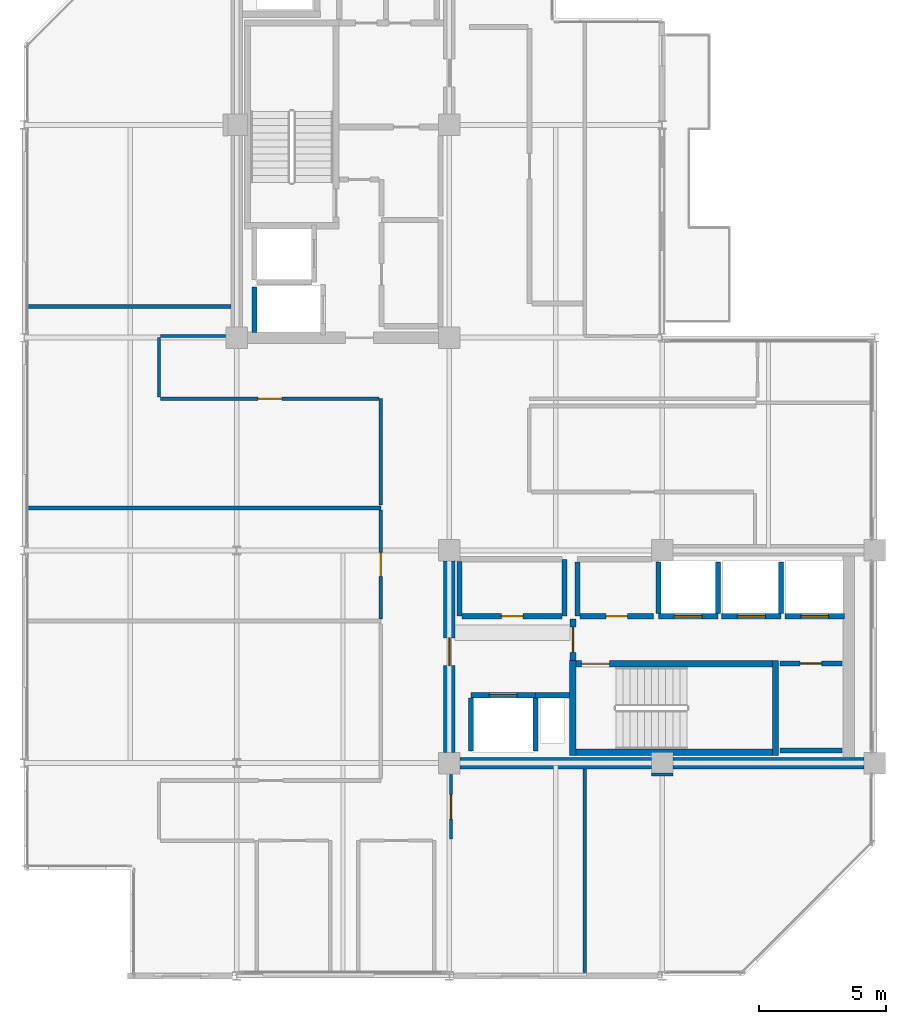
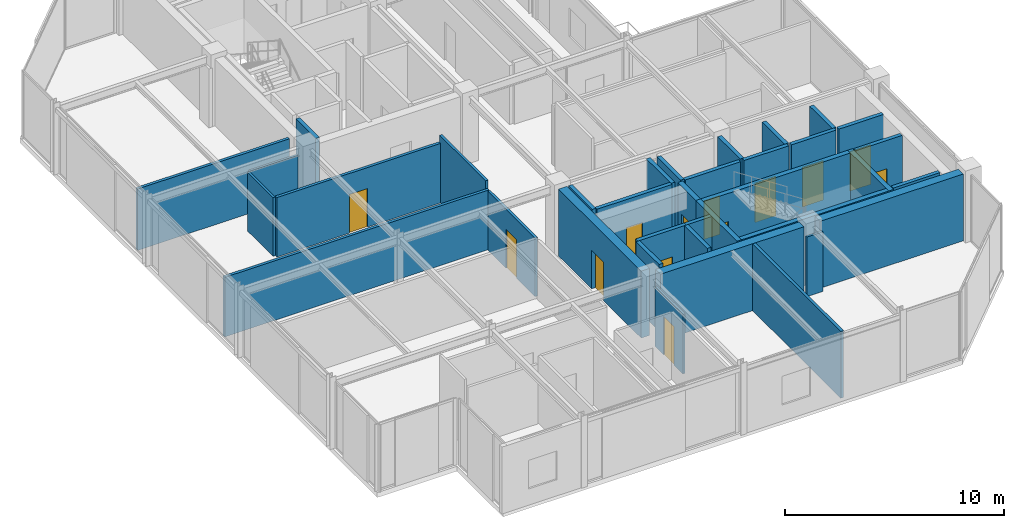
# One storey, part 20 of 24: 36 walls, 13 doors, 13 openings.
"""IFC4 building model written with IfcOpenShell, lengths in metres."""

from ifc_helpers import new_model, si_unit, direction, frame, frame_2d, origin, place, context, subcontext, project, spatial, rectangle, extrude, material, layer, layer_set, type_object, element, fill, save


model = new_model("IFC4")

# Units and contexts
model_context = context("Model", 3, precision=1e-05, world=origin(), true_north=direction((0.0, 1.0)))
body_context = subcontext(model_context, "Body", "Model", "MODEL_VIEW")
ifc_project = project(units=[si_unit("LENGTHUNIT", "METRE"), si_unit("AREAUNIT", "SQUARE_METRE"), si_unit("VOLUMEUNIT", "CUBIC_METRE"), si_unit("PLANEANGLEUNIT", "RADIAN"), si_unit("MASSUNIT", "GRAM", prefix="KILO")], contexts=[model_context])

# Site, building, storey
site_placement = place(None, origin())
site = spatial("IfcSite", under=ifc_project, at=site_placement, CompositionType="ELEMENT")
building_placement = place(site_placement, origin())
building = spatial("IfcBuilding", under=site, at=building_placement, Name="Nerrivon Quay Data Exchange", CompositionType="ELEMENT")
storey_placement = place(building_placement, frame((0.0, 0.0, 298.199951171875)))
storey = spatial("IfcBuildingStorey", under=building, at=storey_placement, Name="L71", CompositionType="ELEMENT", Elevation=298.199951171875)

# Walls
ifc_material_1 = material(Name="Concrete N50 (50 MPa)", Category="concrete")
ifc_layer_1 = layer(ifc_material_1, 0.449951171875)
ifc_layer_set_1 = layer_set([ifc_layer_1], Name="Concrete N50 (50 MPa)")
wall_type_1 = type_object("IfcWallType", Name="WALL-CW-550", PredefinedType="SHEAR", material=ifc_layer_set_1)
wall_1_placement = place(storey_placement, frame((17.22509765625, 8.39990234375, 0.0), z_axis=(0.0, 0.0, 1.0), x_axis=(1.0, 0.0, 0.0)))
element("IfcWall", 1, at=wall_1_placement, inside=storey, type_object=wall_type_1, Name="L71 East Split-Core Shear Wall ECW-S1", PredefinedType="SHEAR", context=body_context, shape_type="SweptSolid", body=[
    extrude(rectangle(XDim=7.5498046875, YDim=0.449951171875, at=frame_2d((3.77490234375, 0.0))), origin(), (0.0, 0.0, 1.0), 3.72509765625),
])
wall_2_placement = place(storey_placement, frame((25.625, 8.39990234375, 0.0), z_axis=(0.0, 0.0, 1.0), x_axis=(1.0, 0.0, 0.0)))
element("IfcWall", 2, at=wall_2_placement, inside=storey, type_object=wall_type_1, Name="L71 East Split-Core Shear Wall ECW-S2", PredefinedType="SHEAR", context=body_context, shape_type="SweptSolid", body=[
    extrude(rectangle(XDim=7.550048828125, YDim=0.449951171875, at=frame_2d((3.77490234375, 0.0))), origin(), (0.0, 0.0, 1.0), 3.72509765625),
])

# Wall, opening, door
wall_3_placement = place(storey_placement, frame((16.800048828125, 8.824951171875, 0.0), z_axis=(0.0, 0.0, 1.0), x_axis=(0.0, 1.0, 0.0)))
wall_3 = element("IfcWall", 3, at=wall_3_placement, inside=storey, type_object=wall_type_1, Name="L71 East Split-Core Shear Wall ECW-W1", PredefinedType="SHEAR", context=body_context, shape_type="SweptSolid", body=[
    extrude(rectangle(XDim=7.550048828125, YDim=0.449951171875, at=frame_2d((3.77490234375, 0.0))), origin(), (0.0, 0.0, 1.0), 3.72509765625),
])
opening_1_placement = place(wall_3_placement, frame((3.425048828125, 0.0, 0.0)))
opening_1 = element("IfcOpeningElement", 4, at=opening_1_placement, cuts=wall_3, Name="Opening FD-120", PredefinedType="OPENING", context=body_context, shape_type="SweptSolid", body=[
    extrude(rectangle(XDim=1.10009765625, YDim=2.14990234375, at=frame_2d((0.550048828125, 1.074951171875))), frame((0.0, 0.23486328125, 0.0), z_axis=(0.0, -1.0, 0.0), x_axis=(1.0, 0.0, 0.0)), (0.0, 0.0, 1.0), 0.469970703125),
])
ifc_material_2 = material(Name="Powder-coated galvanized steel sheet", Category="steel")
door_type_1 = type_object("IfcDoorType", Name="DR-FD120-1100", OperationType="NOTDEFINED", PredefinedType="DOOR", material=ifc_material_2)
door_1_placement = place(opening_1_placement, origin())
door_1 = element("IfcDoor", 5, at=door_1_placement, inside=storey, type_object=door_type_1, Name="L71 East Core Lobby Fire Door", OperationType="SINGLE_SWING_RIGHT", OverallHeight=2.14990234375, OverallWidth=1.10009765625, PredefinedType="DOOR", context=body_context, shape_type="SweptSolid", body=[
    extrude(rectangle(XDim=1.10009765625, YDim=2.14990234375, at=frame_2d((0.550048828125, 1.074951171875))), frame((0.0, 0.02490234375, 0.0), z_axis=(0.0, -1.0, 0.0), x_axis=(1.0, 0.0, 0.0)), (0.0, 0.0, 1.0), 0.050048828125),
])
fill(opening_1, door_1)

# Walls
ifc_material_3 = material(Name="Gypsum plasterboard on cold-formed framing", Category="gypsum")
ifc_layer_2 = layer(ifc_material_3, 0.199951171875)
ifc_layer_set_2 = layer_set([ifc_layer_2], Name="Gypsum plasterboard on cold-formed framing")
wall_type_2 = type_object("IfcWallType", Name="WALL-FW-200", PredefinedType="PARTITIONING", material=ifc_layer_set_2)
wall_4_placement = place(storey_placement, frame((20.199951171875, 11.080078125, 0.0), z_axis=(0.0, 0.0, 1.0), x_axis=(1.0, 0.0, 0.0)))
element("IfcWall", 6, at=wall_4_placement, inside=storey, type_object=wall_type_2, Name="L71 East Core MEP Riser Shaft Wall N", PredefinedType="PARTITIONING", context=body_context, shape_type="SweptSolid", body=[
    extrude(rectangle(XDim=1.35009765625, YDim=0.199951171875, at=frame_2d((0.675048828125, 0.0))), origin(), (0.0, 0.0, 1.0), 3.72509765625),
])
wall_5_placement = place(storey_placement, frame((9.10009765625, 25.39990234375, 0.0), z_axis=(0.0, 0.0, 1.0), x_axis=(0.0, 1.0, 0.0)))
element("IfcWall", 7, at=wall_5_placement, inside=storey, type_object=wall_type_2, Name="L71 Lift Shaft Wall SVL-1 WEST", PredefinedType="PARTITIONING", context=body_context, shape_type="SweptSolid", body=[
    extrude(rectangle(XDim=1.800048828125, YDim=0.199951171875, at=frame_2d((0.89990234375, 0.0))), origin(), (0.0, 0.0, 1.0), 3.72509765625),
])

# Wall, opening, door
wall_6_placement = place(storey_placement, frame((17.64990234375, 11.080078125, 0.0), z_axis=(0.0, 0.0, 1.0), x_axis=(1.0, 0.0, 0.0)))
wall_6 = element("IfcWall", 8, at=wall_6_placement, inside=storey, type_object=wall_type_2, Name="L71 Lift Front Wall FFL-2", PredefinedType="PARTITIONING", context=body_context, shape_type="SweptSolid", body=[
    extrude(rectangle(XDim=2.550048828125, YDim=0.199951171875, at=frame_2d((1.27490234375, 0.0))), origin(), (0.0, 0.0, 1.0), 3.72509765625),
])
opening_2_placement = place(wall_6_placement, frame((0.72509765625, 0.0, 0.0)))
opening_2 = element("IfcOpeningElement", 9, at=opening_2_placement, cuts=wall_6, Name="Opening LD-120", PredefinedType="OPENING", context=body_context, shape_type="SweptSolid", body=[
    extrude(rectangle(XDim=1.10009765625, YDim=2.199951171875, at=frame_2d((0.550048828125, 1.10009765625))), frame((0.0, 0.10986328125, 0.0), z_axis=(0.0, -1.0, 0.0), x_axis=(1.0, 0.0, 0.0)), (0.0, 0.0, 1.0), 0.219970703125),
])
door_type_2 = type_object("IfcDoorType", Name="DR-LIFT-LD120", OperationType="DOUBLE_DOOR_SLIDING", PredefinedType="DOOR", material=ifc_material_2)
door_2_placement = place(opening_2_placement, origin())
door_2 = element("IfcDoor", 10, at=door_2_placement, inside=storey, type_object=door_type_2, Name="L71 Lift Landing Sliding Door FFL-2", OperationType="DOUBLE_DOOR_SLIDING", OverallHeight=2.199951171875, OverallWidth=1.10009765625, PredefinedType="DOOR", context=body_context, shape_type="SweptSolid", body=[
    extrude(rectangle(XDim=1.10009765625, YDim=2.199951171875, at=frame_2d((0.550048828125, 1.10009765625))), frame((0.0, 0.02490234375, 0.0), z_axis=(0.0, -1.0, 0.0), x_axis=(1.0, 0.0, 0.0)), (0.0, 0.0, 1.0), 0.050048828125),
])
fill(opening_2, door_2)

# Walls
for number, where, z_axis, x_axis, name in (
    (11, (20.199951171875, 8.8798828125, 0.0), (0.0, 0.0, 1.0), (0.0, 1.0, 0.0), "L71 Lift Shaft Wall FFL-2 EAST"),
    (12, (17.64990234375, 8.8798828125, 0.0), (0.0, 0.0, 1.0), (0.0, 1.0, 0.0), "L71 Lift Shaft Wall FFL-2 WEST"),
):
    element("IfcWall", number, at=place(storey_placement, frame(where, z_axis=z_axis, x_axis=x_axis)), inside=storey, type_object=wall_type_2, Name=name, PredefinedType="PARTITIONING", context=body_context, shape_type="SweptSolid", body=[
        extrude(rectangle(XDim=2.10009765625, YDim=0.199951171875, at=frame_2d((1.050048828125, 0.0))), origin(), (0.0, 0.0, 1.0), 3.72509765625),
    ])

# Wall, opening, door
wall_7_placement = place(storey_placement, frame((25.050048828125, 14.199951171875, 0.0), z_axis=(0.0, 0.0, 1.0), x_axis=(1.0, 0.0, 0.0)))
wall_7 = element("IfcWall", 13, at=wall_7_placement, inside=storey, type_object=wall_type_2, Name="L71 Lift Front Wall PL7", PredefinedType="PARTITIONING", context=body_context, shape_type="SweptSolid", body=[
    extrude(rectangle(XDim=2.349853515625, YDim=0.199951171875, at=frame_2d((1.1748046875, 0.0))), origin(), (0.0, 0.0, 1.0), 3.72509765625),
])
opening_3_placement = place(wall_7_placement, frame((0.625, 0.0, 0.0)))
opening_3 = element("IfcOpeningElement", 14, at=opening_3_placement, cuts=wall_7, Name="Opening LD-120", PredefinedType="OPENING", context=body_context, shape_type="SweptSolid", body=[
    extrude(rectangle(XDim=1.10009765625, YDim=2.199951171875, at=frame_2d((0.550048828125, 1.10009765625))), frame((0.0, 0.10986328125, 0.0), z_axis=(0.0, -1.0, 0.0), x_axis=(1.0, 0.0, 0.0)), (0.0, 0.0, 1.0), 0.219970703125),
])
door_3_placement = place(opening_3_placement, origin())
door_3 = element("IfcDoor", 15, at=door_3_placement, inside=storey, type_object=door_type_2, Name="L71 Lift Landing Sliding Door PL7", OperationType="DOUBLE_DOOR_SLIDING", OverallHeight=2.199951171875, OverallWidth=1.10009765625, PredefinedType="DOOR", context=body_context, shape_type="SweptSolid", body=[
    extrude(rectangle(XDim=1.10009765625, YDim=2.199951171875, at=frame_2d((0.550048828125, 1.10009765625))), frame((0.0, 0.02490234375, 0.0), z_axis=(0.0, -1.0, 0.0), x_axis=(1.0, 0.0, 0.0)), (0.0, 0.0, 1.0), 0.050048828125),
])
fill(opening_3, door_3)

# Walls
for number, where, z_axis, x_axis, name in (
    (16, (27.39990234375, 14.300048828125, 0.0), (0.0, 0.0, 1.0), (0.0, 1.0, 0.0), "L71 Lift Shaft Wall PL7 EAST"),
    (17, (25.050048828125, 14.300048828125, 0.0), (0.0, 0.0, 1.0), (0.0, 1.0, 0.0), "L71 Lift Shaft Wall PL7 WEST"),
):
    element("IfcWall", number, at=place(storey_placement, frame(where, z_axis=z_axis, x_axis=x_axis)), inside=storey, type_object=wall_type_2, Name=name, PredefinedType="PARTITIONING", context=body_context, shape_type="SweptSolid", body=[
        extrude(rectangle(XDim=2.050048828125, YDim=0.199951171875, at=frame_2d((1.02490234375, 0.0))), origin(), (0.0, 0.0, 1.0), 3.72509765625),
    ])

# Wall, opening, door
wall_8_placement = place(storey_placement, frame((27.550048828125, 14.199951171875, 0.0), z_axis=(0.0, 0.0, 1.0), x_axis=(1.0, 0.0, 0.0)))
wall_8 = element("IfcWall", 18, at=wall_8_placement, inside=storey, type_object=wall_type_2, Name="L71 Lift Front Wall PL8", PredefinedType="PARTITIONING", context=body_context, shape_type="SweptSolid", body=[
    extrude(rectangle(XDim=2.349853515625, YDim=0.199951171875, at=frame_2d((1.1748046875, 0.0))), origin(), (0.0, 0.0, 1.0), 3.72509765625),
])
opening_4_placement = place(wall_8_placement, frame((0.625, 0.0, 0.0)))
opening_4 = element("IfcOpeningElement", 19, at=opening_4_placement, cuts=wall_8, Name="Opening LD-120", PredefinedType="OPENING", context=body_context, shape_type="SweptSolid", body=[
    extrude(rectangle(XDim=1.10009765625, YDim=2.199951171875, at=frame_2d((0.550048828125, 1.10009765625))), frame((0.0, 0.10986328125, 0.0), z_axis=(0.0, -1.0, 0.0), x_axis=(1.0, 0.0, 0.0)), (0.0, 0.0, 1.0), 0.219970703125),
])
door_4_placement = place(opening_4_placement, origin())
door_4 = element("IfcDoor", 20, at=door_4_placement, inside=storey, type_object=door_type_2, Name="L71 Lift Landing Sliding Door PL8", OperationType="DOUBLE_DOOR_SLIDING", OverallHeight=2.199951171875, OverallWidth=1.10009765625, PredefinedType="DOOR", context=body_context, shape_type="SweptSolid", body=[
    extrude(rectangle(XDim=1.10009765625, YDim=2.199951171875, at=frame_2d((0.550048828125, 1.10009765625))), frame((0.0, 0.02490234375, 0.0), z_axis=(0.0, -1.0, 0.0), x_axis=(1.0, 0.0, 0.0)), (0.0, 0.0, 1.0), 0.050048828125),
])
fill(opening_4, door_4)

# Wall
wall_9_placement = place(storey_placement, frame((29.89990234375, 14.300048828125, 0.0), z_axis=(0.0, 0.0, 1.0), x_axis=(0.0, 1.0, 0.0)))
element("IfcWall", 21, at=wall_9_placement, inside=storey, type_object=wall_type_2, Name="L71 Lift Shaft Wall PL8 EAST", PredefinedType="PARTITIONING", context=body_context, shape_type="SweptSolid", body=[
    extrude(rectangle(XDim=2.050048828125, YDim=0.199951171875, at=frame_2d((1.02490234375, 0.0))), origin(), (0.0, 0.0, 1.0), 3.72509765625),
])

# Wall, opening, door
wall_10_placement = place(storey_placement, frame((30.050048828125, 14.199951171875, 0.0), z_axis=(0.0, 0.0, 1.0), x_axis=(1.0, 0.0, 0.0)))
wall_10 = element("IfcWall", 22, at=wall_10_placement, inside=storey, type_object=wall_type_2, Name="L71 Lift Front Wall PL9", PredefinedType="PARTITIONING", context=body_context, shape_type="SweptSolid", body=[
    extrude(rectangle(XDim=2.349853515625, YDim=0.199951171875, at=frame_2d((1.1748046875, 0.0))), origin(), (0.0, 0.0, 1.0), 3.72509765625),
])
opening_5_placement = place(wall_10_placement, frame((0.625, 0.0, 0.0)))
opening_5 = element("IfcOpeningElement", 23, at=opening_5_placement, cuts=wall_10, Name="Opening LD-120", PredefinedType="OPENING", context=body_context, shape_type="SweptSolid", body=[
    extrude(rectangle(XDim=1.10009765625, YDim=2.199951171875, at=frame_2d((0.550048828125, 1.10009765625))), frame((0.0, 0.10986328125, 0.0), z_axis=(0.0, -1.0, 0.0), x_axis=(1.0, 0.0, 0.0)), (0.0, 0.0, 1.0), 0.219970703125),
])
door_5_placement = place(opening_5_placement, origin())
door_5 = element("IfcDoor", 24, at=door_5_placement, inside=storey, type_object=door_type_2, Name="L71 Lift Landing Sliding Door PL9", OperationType="DOUBLE_DOOR_SLIDING", OverallHeight=2.199951171875, OverallWidth=1.10009765625, PredefinedType="DOOR", context=body_context, shape_type="SweptSolid", body=[
    extrude(rectangle(XDim=1.10009765625, YDim=2.199951171875, at=frame_2d((0.550048828125, 1.10009765625))), frame((0.0, 0.02490234375, 0.0), z_axis=(0.0, -1.0, 0.0), x_axis=(1.0, 0.0, 0.0)), (0.0, 0.0, 1.0), 0.050048828125),
])
fill(opening_5, door_5)

# Walls
wall_11_placement = place(storey_placement, frame((21.35009765625, 14.199951171875, 0.0), z_axis=(0.0, 0.0, 1.0), x_axis=(0.0, 1.0, 0.0)))
element("IfcWall", 25, at=wall_11_placement, inside=storey, type_object=wall_type_2, Name="L71 Partition High-Zone Optical Closet", PredefinedType="PARTITIONING", context=body_context, shape_type="SweptSolid", body=[
    extrude(rectangle(XDim=2.25, YDim=0.199951171875, at=frame_2d((1.125, 0.0))), origin(), (0.0, 0.0, 1.0), 3.72509765625),
])
wall_12_placement = place(storey_placement, frame((17.199951171875, 16.3701171875, 0.0), z_axis=(0.0, 0.0, 1.0), x_axis=(0.0, -1.0, 0.0)))
element("IfcWall", 26, at=wall_12_placement, inside=storey, type_object=wall_type_2, Name="L71 Partition High-Zone Optical Closet", PredefinedType="PARTITIONING", context=body_context, shape_type="SweptSolid", body=[
    extrude(rectangle(XDim=2.170166015625, YDim=0.199951171875, at=frame_2d((1.0849609375, 0.0))), origin(), (0.0, 0.0, 1.0), 3.72509765625),
])

# Wall, opening, door
wall_13_placement = place(storey_placement, frame((17.303955078125, 14.199951171875, 0.0), z_axis=(0.0, 0.0, 1.0), x_axis=(1.0, 0.0, 0.0)))
wall_13 = element("IfcWall", 27, at=wall_13_placement, inside=storey, type_object=wall_type_2, Name="L71 Partition High-Zone Optical Closet", PredefinedType="PARTITIONING", context=body_context, shape_type="SweptSolid", body=[
    extrude(rectangle(XDim=3.942138671875, YDim=0.199951171875, at=frame_2d((1.97119140625, 0.0))), origin(), (0.0, 0.0, 1.0), 3.72509765625),
])
opening_6_placement = place(wall_13_placement, frame((1.5458984375, 0.0, 0.0)))
opening_6 = element("IfcOpeningElement", 28, at=opening_6_placement, cuts=wall_13, Name="Opening FD-60S", PredefinedType="OPENING", context=body_context, shape_type="SweptSolid", body=[
    extrude(rectangle(XDim=0.85009765625, YDim=2.14990234375, at=frame_2d((0.425048828125, 1.074951171875))), frame((0.0, 0.10986328125, 0.0), z_axis=(0.0, -1.0, 0.0), x_axis=(1.0, 0.0, 0.0)), (0.0, 0.0, 1.0), 0.219970703125),
])
ifc_material_4 = material(Name="Engineered hardwood timber", Category="wood")
door_type_3 = type_object("IfcDoorType", Name="DR-FD60-850", OperationType="NOTDEFINED", PredefinedType="DOOR", material=ifc_material_4)
door_6_placement = place(opening_6_placement, origin())
door_6 = element("IfcDoor", 29, at=door_6_placement, inside=storey, type_object=door_type_3, Name="L71 Door High-Zone Optical Closet", OperationType="SINGLE_SWING_LEFT", OverallHeight=2.14990234375, OverallWidth=0.85009765625, PredefinedType="DOOR", context=body_context, shape_type="SweptSolid", body=[
    extrude(rectangle(XDim=0.85009765625, YDim=2.14990234375, at=frame_2d((0.425048828125, 1.074951171875))), frame((0.0, 0.02490234375, 0.0), z_axis=(0.0, -1.0, 0.0), x_axis=(1.0, 0.0, 0.0)), (0.0, 0.0, 1.0), 0.050048828125),
])
fill(opening_6, door_6)

# Wall
wall_14_placement = place(storey_placement, frame((21.85009765625, 16.345947265625, 0.0), z_axis=(0.0, 0.0, 1.0), x_axis=(0.0, -1.0, 0.0)))
element("IfcWall", 30, at=wall_14_placement, inside=storey, type_object=wall_type_2, Name="L71 Partition High-Zone Supply Store", PredefinedType="PARTITIONING", context=body_context, shape_type="SweptSolid", body=[
    extrude(rectangle(XDim=2.14599609375, YDim=0.199951171875, at=frame_2d((1.072998046875, 0.0))), origin(), (0.0, 0.0, 1.0), 3.72509765625),
])

# Wall, opening, door
wall_15_placement = place(storey_placement, frame((21.9541015625, 14.199951171875, 0.0), z_axis=(0.0, 0.0, 1.0), x_axis=(1.0, 0.0, 0.0)))
wall_15 = element("IfcWall", 31, at=wall_15_placement, inside=storey, type_object=wall_type_2, Name="L71 Partition High-Zone Supply Store", PredefinedType="PARTITIONING", context=body_context, shape_type="SweptSolid", body=[
    extrude(rectangle(XDim=2.89599609375, YDim=0.199951171875, at=frame_2d((1.447998046875, 0.0))), origin(), (0.0, 0.0, 1.0), 3.72509765625),
])
opening_7_placement = place(wall_15_placement, frame((1.02294921875, 0.0, 0.0)))
opening_7 = element("IfcOpeningElement", 32, at=opening_7_placement, cuts=wall_15, Name="Opening FD-60S", PredefinedType="OPENING", context=body_context, shape_type="SweptSolid", body=[
    extrude(rectangle(XDim=0.85009765625, YDim=2.14990234375, at=frame_2d((0.425048828125, 1.074951171875))), frame((0.0, 0.10986328125, 0.0), z_axis=(0.0, -1.0, 0.0), x_axis=(1.0, 0.0, 0.0)), (0.0, 0.0, 1.0), 0.219970703125),
])
door_7_placement = place(opening_7_placement, origin())
door_7 = element("IfcDoor", 33, at=door_7_placement, inside=storey, type_object=door_type_3, Name="L71 Door High-Zone Supply Store", OperationType="SINGLE_SWING_RIGHT", OverallHeight=2.14990234375, OverallWidth=0.85009765625, PredefinedType="DOOR", context=body_context, shape_type="SweptSolid", body=[
    extrude(rectangle(XDim=0.85009765625, YDim=2.14990234375, at=frame_2d((0.425048828125, 1.074951171875))), frame((0.0, 0.02490234375, 0.0), z_axis=(0.0, -1.0, 0.0), x_axis=(1.0, 0.0, 0.0)), (0.0, 0.0, 1.0), 0.050048828125),
])
fill(opening_7, door_7)

wall_16_placement = place(storey_placement, frame((32.300048828125, 12.330078125, 0.0), z_axis=(0.0, 0.0, 1.0), x_axis=(-1.0, 0.0, 0.0)))
wall_16 = element("IfcWall", 34, at=wall_16_placement, inside=storey, type_object=wall_type_2, Name="L71 Partition East Supply Store", PredefinedType="PARTITIONING", context=body_context, shape_type="SweptSolid", body=[
    extrude(rectangle(XDim=2.449951171875, YDim=0.199951171875, at=frame_2d((1.22509765625, 0.0))), origin(), (0.0, 0.0, 1.0), 3.72509765625),
])
opening_8_placement = place(wall_16_placement, frame((0.800048828125, 0.0, 0.0)))
opening_8 = element("IfcOpeningElement", 35, at=opening_8_placement, cuts=wall_16, Name="Opening FD-60S", PredefinedType="OPENING", context=body_context, shape_type="SweptSolid", body=[
    extrude(rectangle(XDim=0.85009765625, YDim=2.14990234375, at=frame_2d((0.425048828125, 1.074951171875))), frame((0.0, 0.10986328125, 0.0), z_axis=(0.0, -1.0, 0.0), x_axis=(1.0, 0.0, 0.0)), (0.0, 0.0, 1.0), 0.219970703125),
])
door_8_placement = place(opening_8_placement, origin())
door_8 = element("IfcDoor", 36, at=door_8_placement, inside=storey, type_object=door_type_3, Name="L71 Door East Supply Store", OperationType="SINGLE_SWING_LEFT", OverallHeight=2.14990234375, OverallWidth=0.85009765625, PredefinedType="DOOR", context=body_context, shape_type="SweptSolid", body=[
    extrude(rectangle(XDim=0.85009765625, YDim=2.14990234375, at=frame_2d((0.425048828125, 1.074951171875))), frame((0.0, 0.02490234375, 0.0), z_axis=(0.0, -1.0, 0.0), x_axis=(1.0, 0.0, 0.0)), (0.0, 0.0, 1.0), 0.050048828125),
])
fill(opening_8, door_8)

# Wall
wall_17_placement = place(storey_placement, frame((29.85009765625, 8.89990234375, 0.0), z_axis=(0.0, 0.0, 1.0), x_axis=(1.0, 0.0, 0.0)))
element("IfcWall", 37, at=wall_17_placement, inside=storey, type_object=wall_type_2, Name="L71 Partition East Supply Store", PredefinedType="PARTITIONING", context=body_context, shape_type="SweptSolid", body=[
    extrude(rectangle(XDim=2.449951171875, YDim=0.199951171875, at=frame_2d((1.22509765625, 0.0))), origin(), (0.0, 0.0, 1.0), 3.72509765625),
])

# Wall, opening, door
ifc_layer_3 = layer(ifc_material_3, 0.1201171875)
ifc_layer_set_3 = layer_set([ifc_layer_3], Name="Gypsum plasterboard on cold-formed framing")
wall_type_3 = type_object("IfcWallType", Name="WALL-PT-120", PredefinedType="PARTITIONING", material=ifc_layer_set_3)
wall_18_placement = place(storey_placement, frame((16.860107421875, 7.955078125, 0.0), z_axis=(0.0, 0.0, 1.0), x_axis=(0.0, -1.0, 0.0)))
wall_18 = element("IfcWall", 38, at=wall_18_placement, inside=storey, type_object=wall_type_3, Name="L71 Partition Staff Pantry", PredefinedType="PARTITIONING", context=body_context, shape_type="SweptSolid", body=[
    extrude(rectangle(XDim=2.55517578125, YDim=0.1201171875, at=frame_2d((1.277587890625, 0.0))), origin(), (0.0, 0.0, 1.0), 3.319091796875),
])
opening_9_placement = place(wall_18_placement, frame((0.802490234375, 0.0, 0.0)))
opening_9 = element("IfcOpeningElement", 39, at=opening_9_placement, cuts=wall_18, Name="Opening D-01", PredefinedType="OPENING", context=body_context, shape_type="SweptSolid", body=[
    extrude(rectangle(XDim=0.949951171875, YDim=2.14990234375, at=frame_2d((0.47509765625, 1.074951171875))), frame((0.0, 0.070068359375, 0.0), z_axis=(0.0, -1.0, 0.0), x_axis=(1.0, 0.0, 0.0)), (0.0, 0.0, 1.0), 0.14013671875),
])
door_type_4 = type_object("IfcDoorType", Name="DR-INT-950", OperationType="NOTDEFINED", PredefinedType="DOOR", material=ifc_material_4)
door_9_placement = place(opening_9_placement, origin())
door_9 = element("IfcDoor", 40, at=door_9_placement, inside=storey, type_object=door_type_4, Name="L71 Door Staff Pantry", OperationType="SINGLE_SWING_RIGHT", OverallHeight=2.14990234375, OverallWidth=0.949951171875, PredefinedType="DOOR", context=body_context, shape_type="SweptSolid", body=[
    extrude(rectangle(XDim=0.949951171875, YDim=2.14990234375, at=frame_2d((0.47509765625, 1.074951171875))), frame((0.0, 0.02490234375, 0.0), z_axis=(0.0, -1.0, 0.0), x_axis=(1.0, 0.0, 0.0)), (0.0, 0.0, 1.0), 0.050048828125),
])
fill(opening_9, door_9)

# Walls
wall_19_placement = place(storey_placement, frame((5.39990234375, 25.260009765625, 0.0), z_axis=(0.0, 0.0, 1.0), x_axis=(1.0, 0.0, 0.0)))
element("IfcWall", 41, at=wall_19_placement, inside=storey, type_object=wall_type_3, Name="L71 Partition Quiet Reading Room", PredefinedType="PARTITIONING", context=body_context, shape_type="SweptSolid", body=[
    extrude(rectangle(XDim=2.55517578125, YDim=0.1201171875, at=frame_2d((1.277587890625, 0.0))), origin(), (0.0, 0.0, 1.0), 3.27099609375),
])
wall_20_placement = place(storey_placement, frame((5.340087890625, 22.85009765625, 0.0), z_axis=(0.0, 0.0, 1.0), x_axis=(0.0, 1.0, 0.0)))
element("IfcWall", 42, at=wall_20_placement, inside=storey, type_object=wall_type_3, Name="L71 Partition Quiet Reading Room", PredefinedType="PARTITIONING", context=body_context, shape_type="SweptSolid", body=[
    extrude(rectangle(XDim=2.349853515625, YDim=0.1201171875, at=frame_2d((1.1748046875, 0.0))), origin(), (0.0, 0.0, 1.0), 3.27099609375),
])
wall_21_placement = place(storey_placement, frame((25.630859375, 7.955810546875, 0.0), z_axis=(0.0, 0.0, 1.0), x_axis=(-0.99999963391, -0.000855675671, 0.0)))
element("IfcWall", 43, at=wall_21_placement, inside=storey, type_object=wall_type_3, Name="L71 Partition Technical Library", PredefinedType="PARTITIONING", context=body_context, shape_type="SweptSolid", body=[
    extrude(rectangle(XDim=0.85595703125, YDim=0.1201171875, at=frame_2d((0.427978515625, 0.0))), origin(), (0.0, 0.0, 1.0), 3.319091796875),
])

# Wall, opening, door
ifc_layer_4 = layer(ifc_material_3, 0.135009765625)
ifc_layer_set_4 = layer_set([ifc_layer_4], Name="Gypsum plasterboard on cold-formed framing")
wall_type_4 = type_object("IfcWallType", Name="WALL-PT-135", PredefinedType="PARTITIONING", material=ifc_layer_set_4)
wall_22_placement = place(storey_placement, frame((14.090087890625, 14.095947265625, 0.0), z_axis=(0.0, 0.0, 1.0), x_axis=(0.0, 1.0, 0.0)))
wall_22 = element("IfcWall", 44, at=wall_22_placement, inside=storey, type_object=wall_type_4, Name="L71 Partition Staff Tea Pantry", PredefinedType="PARTITIONING", context=body_context, shape_type="SweptSolid", body=[
    extrude(rectangle(XDim=4.303466796875, YDim=0.135009765625, at=frame_2d((2.15185546875, 0.0))), origin(), (0.0, 0.0, 1.0), 3.27099609375),
])
opening_10_placement = place(wall_22_placement, frame((1.6767578125, 0.0, 0.0)))
opening_10 = element("IfcOpeningElement", 45, at=opening_10_placement, cuts=wall_22, Name="Opening D-01", PredefinedType="OPENING", context=body_context, shape_type="SweptSolid", body=[
    extrude(rectangle(XDim=0.949951171875, YDim=2.14990234375, at=frame_2d((0.47509765625, 1.074951171875))), frame((0.0, 0.077392578125, 0.0), z_axis=(0.0, -1.0, 0.0), x_axis=(1.0, 0.0, 0.0)), (0.0, 0.0, 1.0), 0.155029296875),
])
door_10_placement = place(opening_10_placement, origin())
door_10 = element("IfcDoor", 46, at=door_10_placement, inside=storey, type_object=door_type_4, Name="L71 Door Staff Tea Pantry", OperationType="SINGLE_SWING_LEFT", OverallHeight=2.14990234375, OverallWidth=0.949951171875, PredefinedType="DOOR", context=body_context, shape_type="SweptSolid", body=[
    extrude(rectangle(XDim=0.949951171875, YDim=2.14990234375, at=frame_2d((0.47509765625, 1.074951171875))), frame((0.0, 0.02490234375, 0.0), z_axis=(0.0, -1.0, 0.0), x_axis=(1.0, 0.0, 0.0)), (0.0, 0.0, 1.0), 0.050048828125),
])
fill(opening_10, door_10)

# Walls
wall_23_placement = place(storey_placement, frame((14.090087890625, 18.598388671875, 0.0), z_axis=(0.0, 0.0, 1.0), x_axis=(0.0, 1.0, 0.0)))
element("IfcWall", 47, at=wall_23_placement, inside=storey, type_object=wall_type_4, Name="L71 Partition Quiet Reading Room", PredefinedType="PARTITIONING", context=body_context, shape_type="SweptSolid", body=[
    extrude(rectangle(XDim=4.191650390625, YDim=0.135009765625, at=frame_2d((2.095703125, 0.0))), origin(), (0.0, 0.0, 1.0), 3.72509765625),
])
ifc_layer_5 = layer(ifc_material_3, 0.14990234375)
ifc_layer_set_5 = layer_set([ifc_layer_5], Name="Gypsum plasterboard on cold-formed framing")
wall_type_5 = type_object("IfcWallType", Name="WALL-PT-150", PredefinedType="PARTITIONING", material=ifc_layer_set_5)
wall_24_placement = place(storey_placement, frame((22.14404296875, 0.1240234375, 0.0), z_axis=(0.0, 0.0, 1.0), x_axis=(0.0, 1.0, 0.0)))
element("IfcWall", 48, at=wall_24_placement, inside=storey, type_object=wall_type_5, Name="L71 Partition Staff Pantry", PredefinedType="PARTITIONING", context=body_context, shape_type="SweptSolid", body=[
    extrude(rectangle(XDim=8.046875, YDim=0.14990234375, at=frame_2d((4.0234375, 0.0))), origin(), (0.0, 0.0, 1.0), 3.72509765625),
])
wall_25_placement = place(storey_placement, frame((14.090087890625, 18.478515625, 0.0), z_axis=(0.0, 0.0, 1.0), x_axis=(-1.0, 0.0, 0.0)))
element("IfcWall", 49, at=wall_25_placement, inside=storey, type_object=wall_type_5, Name="L71 Partition Staff Tea Pantry", PredefinedType="PARTITIONING", context=body_context, shape_type="SweptSolid", body=[
    extrude(rectangle(XDim=13.921142578125, YDim=0.14990234375, at=frame_2d((6.96044921875, 0.0))), origin(), (0.0, 0.0, 1.0), 3.319091796875),
])
wall_26_placement = place(storey_placement, frame((8.1708984375, 26.4248046875, 0.0), z_axis=(0.0, 0.0, 1.0), x_axis=(-1.0, 0.0, 0.0)))
element("IfcWall", 50, at=wall_26_placement, inside=storey, type_object=wall_type_5, Name="L71 Partition Quiet Reading Room", PredefinedType="PARTITIONING", context=body_context, shape_type="SweptSolid", body=[
    extrude(rectangle(XDim=8.001953125, YDim=0.14990234375, at=frame_2d((4.0009765625, 0.0))), origin(), (0.0, 0.0, 1.0), 3.421142578125),
])

# Wall, opening, door
wall_27_placement = place(storey_placement, frame((14.0185546875, 22.7900390625, 0.0), z_axis=(0.0, 0.0, 1.0), x_axis=(-1.0, 0.0, 0.0)))
wall_27 = element("IfcWall", 51, at=wall_27_placement, inside=storey, type_object=wall_type_5, Name="L71 Partition Quiet Reading Room", PredefinedType="PARTITIONING", context=body_context, shape_type="SweptSolid", body=[
    extrude(rectangle(XDim=8.61865234375, YDim=0.14990234375, at=frame_2d((4.309326171875, 0.0))), origin(), (0.0, 0.0, 1.0), 3.319091796875),
])
opening_11_placement = place(wall_27_placement, frame((3.834228515625, 0.0, 0.0)))
opening_11 = element("IfcOpeningElement", 52, at=opening_11_placement, cuts=wall_27, Name="Opening D-01", PredefinedType="OPENING", context=body_context, shape_type="SweptSolid", body=[
    extrude(rectangle(XDim=0.949951171875, YDim=2.14990234375, at=frame_2d((0.47509765625, 1.074951171875))), frame((0.0, 0.0849609375, 0.0), z_axis=(0.0, -1.0, 0.0), x_axis=(1.0, 0.0, 0.0)), (0.0, 0.0, 1.0), 0.169921875),
])
door_11_placement = place(opening_11_placement, origin())
door_11 = element("IfcDoor", 53, at=door_11_placement, inside=storey, type_object=door_type_4, Name="L71 Door Quiet Reading Room", OperationType="SINGLE_SWING_RIGHT", OverallHeight=2.14990234375, OverallWidth=0.949951171875, PredefinedType="DOOR", context=body_context, shape_type="SweptSolid", body=[
    extrude(rectangle(XDim=0.949951171875, YDim=2.14990234375, at=frame_2d((0.47509765625, 1.074951171875))), frame((0.0, 0.02490234375, 0.0), z_axis=(0.0, -1.0, 0.0), x_axis=(1.0, 0.0, 0.0)), (0.0, 0.0, 1.0), 0.050048828125),
])
fill(opening_11, door_11)

# Walls
ifc_layer_6 = layer(ifc_material_1, 0.25)
ifc_layer_set_6 = layer_set([ifc_layer_6], Name="Concrete N50 (50 MPa)")
wall_type_6 = type_object("IfcWallType", Name="WALL-SW-250", PredefinedType="SHEAR", material=ifc_layer_set_6)
for number, where, z_axis, x_axis, name in (
    (54, (21.675048828125, 8.699951171875, 0.0), (0.0, 0.0, 1.0), (0.0, 1.0, 0.0), "L71 ST02 Structural Stair Core Wall NEAR"),
    (55, (29.675048828125, 8.699951171875, 0.0), (0.0, 0.0, 1.0), (0.0, 1.0, 0.0), "L71 ST02 Structural Stair Core Wall FAR"),
):
    element("IfcWall", number, at=place(storey_placement, frame(where, z_axis=z_axis, x_axis=x_axis)), inside=storey, type_object=wall_type_6, Name=name, PredefinedType="SHEAR", context=body_context, shape_type="SweptSolid", body=[
        extrude(rectangle(XDim=3.75, YDim=0.25, at=frame_2d((1.875, 0.0))), origin(), (0.0, 0.0, 1.0), 3.72509765625),
    ])
wall_28_placement = place(storey_placement, frame((21.800048828125, 8.824951171875, 0.0), z_axis=(0.0, 0.0, 1.0), x_axis=(1.0, 0.0, 0.0)))
element("IfcWall", 56, at=wall_28_placement, inside=storey, type_object=wall_type_6, Name="L71 ST02 Structural Stair Core Wall LEFT", PredefinedType="SHEAR", context=body_context, shape_type="SweptSolid", body=[
    extrude(rectangle(XDim=7.75, YDim=0.25, at=frame_2d((3.875, 0.0))), origin(), (0.0, 0.0, 1.0), 3.72509765625),
])

# Wall, opening, door
wall_29_placement = place(storey_placement, frame((21.800048828125, 12.324951171875, 0.0), z_axis=(0.0, 0.0, 1.0), x_axis=(1.0, 0.0, 0.0)))
wall_29 = element("IfcWall", 57, at=wall_29_placement, inside=storey, type_object=wall_type_6, Name="L71 ST02 Structural Stair Core Wall RIGHT", PredefinedType="SHEAR", context=body_context, shape_type="SweptSolid", body=[
    extrude(rectangle(XDim=7.75, YDim=0.25, at=frame_2d((3.875, 0.0))), origin(), (0.0, 0.0, 1.0), 3.72509765625),
])
opening_12_placement = place(wall_29_placement, frame((0.219970703125, 0.0, 0.0)))
opening_12 = element("IfcOpeningElement", 58, at=opening_12_placement, cuts=wall_29, Name="Opening FD-120", PredefinedType="OPENING", context=body_context, shape_type="SweptSolid", body=[
    extrude(rectangle(XDim=1.10009765625, YDim=2.14990234375, at=frame_2d((0.550048828125, 1.074951171875))), frame((0.0, 0.135009765625, 0.0), z_axis=(0.0, -1.0, 0.0), x_axis=(1.0, 0.0, 0.0)), (0.0, 0.0, 1.0), 0.27001953125),
])
door_12_placement = place(opening_12_placement, origin())
door_12 = element("IfcDoor", 59, at=door_12_placement, inside=storey, type_object=door_type_1, Name="L71 Protected Stair Door ST02", OperationType="SINGLE_SWING_RIGHT", OverallHeight=2.14990234375, OverallWidth=1.10009765625, PredefinedType="DOOR", context=body_context, shape_type="SweptSolid", body=[
    extrude(rectangle(XDim=1.10009765625, YDim=2.14990234375, at=frame_2d((0.550048828125, 1.074951171875))), frame((0.0, 0.02490234375, 0.0), z_axis=(0.0, -1.0, 0.0), x_axis=(1.0, 0.0, 0.0)), (0.0, 0.0, 1.0), 0.050048828125),
])
fill(opening_12, door_12)

wall_30_placement = place(storey_placement, frame((21.679931640625, 12.449951171875, 0.0), z_axis=(0.0, 0.0, 1.0), x_axis=(0.0, 1.0, 0.0)))
wall_30 = element("IfcWall", 60, at=wall_30_placement, inside=storey, type_object=wall_type_6, Name="L71 East Firefighting Lobby Wall", PredefinedType="SHEAR", context=body_context, shape_type="SweptSolid", body=[
    extrude(rectangle(XDim=1.650146484375, YDim=0.25, at=frame_2d((0.8251953125, 0.0))), origin(), (0.0, 0.0, 1.0), 3.72509765625),
])
opening_13_placement = place(wall_30_placement, frame((0.324951171875, 0.0, 0.0)))
opening_13 = element("IfcOpeningElement", 61, at=opening_13_placement, cuts=wall_30, Name="Opening FD-60", PredefinedType="OPENING", context=body_context, shape_type="SweptSolid", body=[
    extrude(rectangle(XDim=1.0, YDim=2.14990234375, at=frame_2d((0.5, 1.074951171875))), frame((0.0, 0.135009765625, 0.0), z_axis=(0.0, -1.0, 0.0), x_axis=(1.0, 0.0, 0.0)), (0.0, 0.0, 1.0), 0.27001953125),
])
door_type_5 = type_object("IfcDoorType", Name="DR-FD60-1000", OperationType="NOTDEFINED", PredefinedType="DOOR", material=ifc_material_4)
door_13_placement = place(opening_13_placement, origin())
door_13 = element("IfcDoor", 62, at=door_13_placement, inside=storey, type_object=door_type_5, Name="L71 East Firefighting Lobby Fire Door", OperationType="SINGLE_SWING_RIGHT", OverallHeight=2.14990234375, OverallWidth=1.0, PredefinedType="DOOR", context=body_context, shape_type="SweptSolid", body=[
    extrude(rectangle(XDim=1.0, YDim=2.14990234375, at=frame_2d((0.5, 1.074951171875))), frame((0.0, 0.02490234375, 0.0), z_axis=(0.0, -1.0, 0.0), x_axis=(1.0, 0.0, 0.0)), (0.0, 0.0, 1.0), 0.050048828125),
])
fill(opening_13, door_13)

save(model, "model.ifc")
